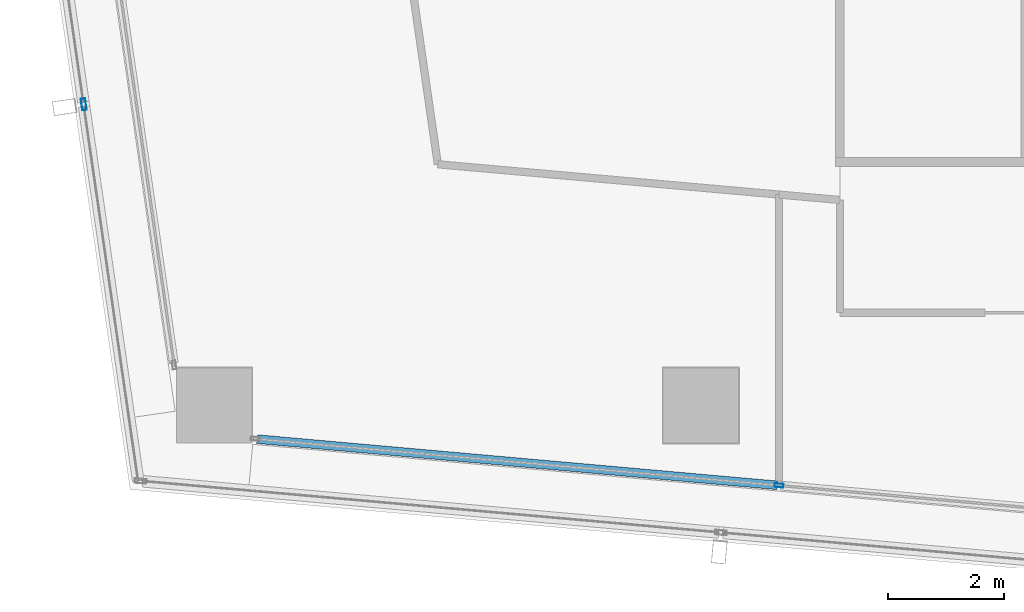
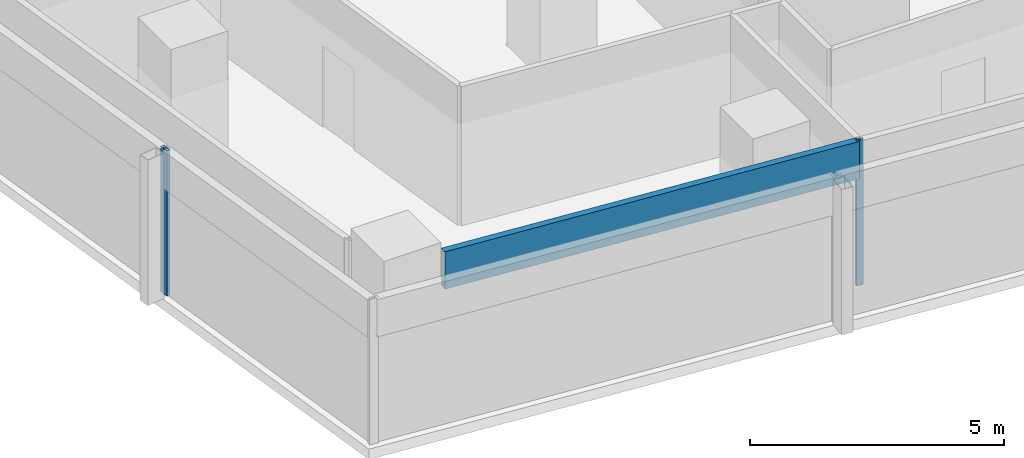
# One storey, part 3 of 28: 3 members, 2 elements without a shape of their own.
"""IFC4 building model written with IfcOpenShell, lengths in metres."""

from ifc_helpers import new_model, si_unit, direction, frame, origin, origin_2d, place, context, subcontext, project, spatial, hollow_rectangle, extrude, material, material_profile, profile_set, type_object, element, aggregate, save


model = new_model("IFC4")

# Units and contexts
model_context = context("Model", 3, precision=1e-05, world=origin(), true_north=direction((0.0, 1.0)))
body_context = subcontext(model_context, "Body", "Model", "MODEL_VIEW")
ifc_project = project(units=[si_unit("LENGTHUNIT", "METRE"), si_unit("AREAUNIT", "SQUARE_METRE"), si_unit("VOLUMEUNIT", "CUBIC_METRE"), si_unit("PLANEANGLEUNIT", "RADIAN"), si_unit("MASSUNIT", "GRAM", prefix="KILO")], contexts=[model_context])

# Site, building, storey
site_placement = place(None, origin())
site = spatial("IfcSite", under=ifc_project, at=site_placement, CompositionType="ELEMENT")
building_placement = place(site_placement, origin())
building = spatial("IfcBuilding", under=site, at=building_placement, Name="Rekha Terrace Tower", CompositionType="ELEMENT")
storey_placement = place(building_placement, frame((0.0, 0.0, 253.85009765625)))
storey = spatial("IfcBuildingStorey", under=building, at=storey_placement, Name="L64", CompositionType="ELEMENT", Elevation=253.85009765625)

# Curtain wall, members
ifc_material_1 = material(Name="Aluminium framing", Category="aluminium")
curtain_wall_type_1 = type_object("IfcCurtainWallType", Name="CW1 double skin inner glazing", PredefinedType="USERDEFINED", material=ifc_material_1)
curtain_wall_1_placement = place(storey_placement, origin())
curtain_wall_1 = element("IfcCurtainWall", 1, at=curtain_wall_1_placement, inside=storey, type_object=curtain_wall_type_1, Name="CW1 double skin inner glazing", ObjectType="DOUBLE SKIN INNER GLAZING", PredefinedType="USERDEFINED")
ifc_material_2 = material(Name="Aluminium mullion section", Category="aluminium")
ifc_material_profile_1 = material_profile(ifc_material_2, hollow_rectangle(XDim=0.06494140625, YDim=0.14990234375, WallThickness=0.00390625, at=origin_2d()), Name="AL RHS 65x150")
ifc_profile_set_1 = profile_set([ifc_material_profile_1], Name="Aluminium mullion section")
member_type_1 = type_object("IfcMemberType", Name="CW1 mullion RHS 65 x 150", PredefinedType="MULLION", material=ifc_profile_set_1)
member_1_placement = place(storey_placement, frame((18.1494140625, 15.4189453125, 0.0), z_axis=(0.0, 0.0, 1.0), x_axis=(0.088522441405, 0.996074182663, 0.0)))
member_1 = element("IfcMember", 2, at=member_1_placement, type_object=member_type_1, Name="CW1 mullion 2", PredefinedType="MULLION", context=body_context, shape_type="SweptSolid", body=[
    extrude(hollow_rectangle(XDim=0.06494140625, YDim=0.14990234375, WallThickness=0.00390625, at=origin_2d()), origin(), (0.0, 0.0, 1.0), 3.5),
])
ifc_material_3 = material(Name="Insulated aluminium spandrel box", Category="aluminium")
ifc_material_profile_2 = material_profile(ifc_material_3, hollow_rectangle(XDim=0.14990234375, YDim=0.89990234375, WallThickness=0.0029296875, at=origin_2d()), Name="AL SPANDREL BOX 150x900")
ifc_profile_set_2 = profile_set([ifc_material_profile_2], Name="Insulated aluminium spandrel box")
member_type_2 = type_object("IfcMemberType", Name="CW1 spandrel transom 150 x 900", PredefinedType="USERDEFINED", material=ifc_profile_set_2)
member_2_placement = place(storey_placement, frame((9.1416015625, 16.219482421875, 3.0498046875), z_axis=(0.996072428294, -0.088542179732, 0.0), x_axis=(0.088542179732, 0.996072428294, 0.0)))
member_2 = element("IfcMember", 3, at=member_2_placement, type_object=member_type_2, Name="CW1 spandrel transom 1", ObjectType="TRANSOM", PredefinedType="USERDEFINED", context=body_context, shape_type="SweptSolid", body=[
    extrude(hollow_rectangle(XDim=0.14990234375, YDim=0.89990234375, WallThickness=0.0029296875, at=origin_2d()), origin(), (0.0, 0.0, 1.0), 9.010986328125),
])
aggregate(curtain_wall_1, [member_1, member_2])

# Curtain wall, member
curtain_wall_type_2 = type_object("IfcCurtainWallType", Name="CW2 double skin outer glazing", PredefinedType="USERDEFINED", material=ifc_material_1)
curtain_wall_2_placement = place(storey_placement, origin())
curtain_wall_2 = element("IfcCurtainWall", 4, at=curtain_wall_2_placement, inside=storey, type_object=curtain_wall_type_2, Name="CW2 double skin outer glazing", ObjectType="DOUBLE SKIN OUTER GLAZING", PredefinedType="USERDEFINED")
ifc_material_profile_3 = material_profile(ifc_material_2, hollow_rectangle(XDim=0.080078125, YDim=0.199951171875, WallThickness=0.00390625, at=origin_2d()), Name="AL RHS 80x200")
ifc_profile_set_3 = profile_set([ifc_material_profile_3], Name="Aluminium mullion section")
member_type_3 = type_object("IfcMemberType", Name="CW2 mullion RHS 80 x 200", PredefinedType="MULLION", material=ifc_profile_set_3)
member_3_placement = place(storey_placement, frame((6.150634765625, 21.99658203125, 0.0), z_axis=(0.0, 0.0, 1.0), x_axis=(0.989707031389, 0.143108322678, 0.0)))
member_3 = element("IfcMember", 5, at=member_3_placement, type_object=member_type_3, Name="CW2 mullion 2", PredefinedType="MULLION", context=body_context, shape_type="SweptSolid", body=[
    extrude(hollow_rectangle(XDim=0.080078125, YDim=0.199951171875, WallThickness=0.00390625, at=origin_2d()), origin(), (0.0, 0.0, 1.0), 3.5),
])
aggregate(curtain_wall_2, [member_3])

save(model, "model.ifc")
